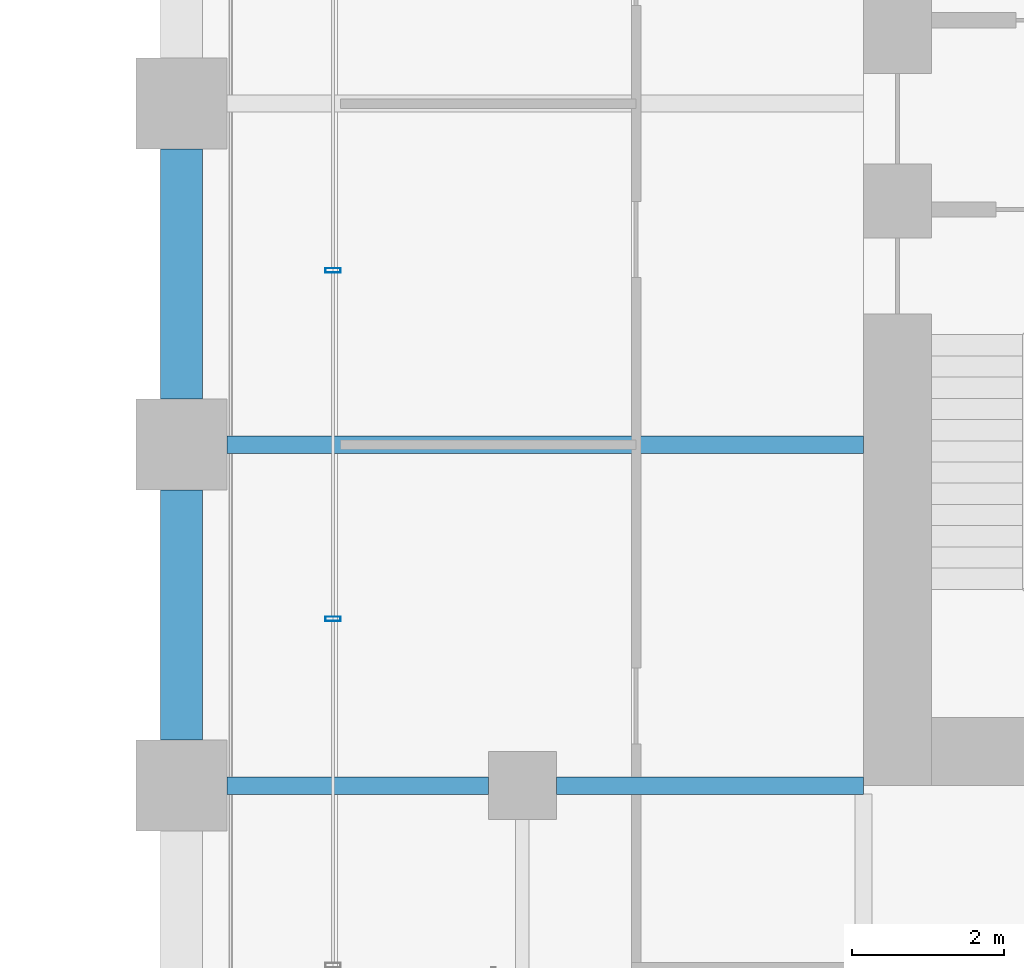
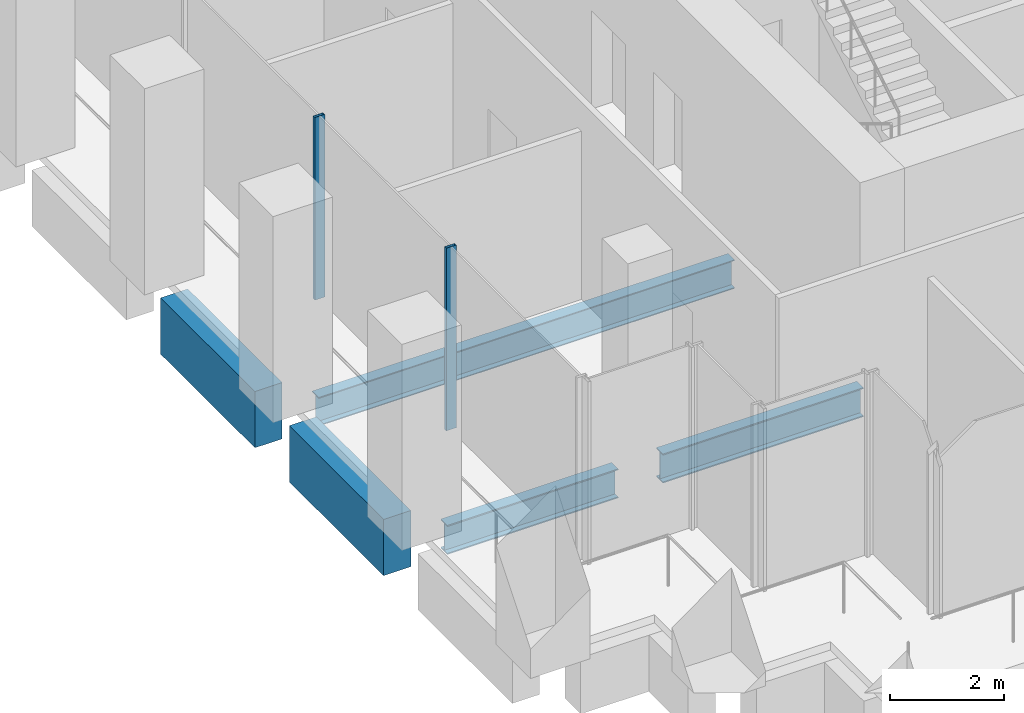
# One storey, part 20 of 36: 5 beams, 2 members, 1 element without a shape of its own.
"""IFC4 building model written with IfcOpenShell, lengths in metres."""

import ifcopenshell
import ifcopenshell.guid

model = None  # the IFC model being written
_history = None  # IfcOwnerHistory: only IFC2X3 demands one
_inside = {}  # id of a spatial element -> (the spatial element, [elements in it])
_under = {}  # id of a project, library or spatial element -> (it, [spatial elements below it])
_declared = {}  # id of a project -> (the project, [libraries it declares])
_typed = {}  # id of a type object -> (the type object, [elements of that type])
_made_of = {}  # id of a material, layer set ... -> (it, [elements and type objects made of it])


def new_model(schema):
    """Start an empty IFC model of exactly this schema.

    Asked for "IFC4X3", IfcOpenShell would pick the latest addendum, in which some entities
    have other attributes; the version numbers below select the first issue.
    IFC2X3 requires an IfcOwnerHistory on every rooted entity: one is made here for all.
    """
    global model, _history
    if schema == "IFC4X3":
        model = ifcopenshell.file(schema_version=(4, 3, 0, 0))
    else:
        model = ifcopenshell.file(schema=schema)
    _inside.clear()
    _under.clear()
    _declared.clear()
    _typed.clear()
    _made_of.clear()
    _history = None
    if model.schema == "IFC2X3":
        org = make("IfcOrganization", Name="unknown")
        user = make(
            "IfcPersonAndOrganization",
            ThePerson=make("IfcPerson", FamilyName="unknown"),
            TheOrganization=org,
        )
        app = make(
            "IfcApplication",
            ApplicationDeveloper=org,
            Version="unknown",
            ApplicationFullName="unknown",
            ApplicationIdentifier="unknown",
        )
        _history = make(
            "IfcOwnerHistory",
            OwningUser=user,
            OwningApplication=app,
            ChangeAction="ADDED",
            CreationDate=0,
        )
    return model


def make(cls, **values):
    """One entity of the class cls with the attributes given. An attribute that is None is left unset."""
    return model.create_entity(
        cls, **{name: value for name, value in values.items() if value is not None}
    )


def rooted(cls, **values):
    """An entity with a GlobalId (a new one), such as an element, a storey or a relation."""
    return make(cls, GlobalId=ifcopenshell.guid.new(), OwnerHistory=_history, **values)


def si_unit(unit_type, name, prefix=None):
    """IfcSIUnit, for example si_unit("LENGTHUNIT", "METRE", prefix="MILLI")."""
    return make("IfcSIUnit", UnitType=unit_type, Prefix=prefix, Name=name)


def assignment(units):
    """IfcUnitAssignment: the units of a project."""
    return None if units is None else make("IfcUnitAssignment", Units=units)


def point(xyz):
    """IfcCartesianPoint."""
    return None if xyz is None else make("IfcCartesianPoint", Coordinates=xyz)


def direction(xyz):
    """IfcDirection."""
    return None if xyz is None else make("IfcDirection", DirectionRatios=xyz)


def frame(location, z_axis=None, x_axis=None):
    """IfcAxis2Placement3D, a coordinate frame: its origin and axes. An axis left out is left unset."""
    return make(
        "IfcAxis2Placement3D",
        Location=point(location),
        Axis=direction(z_axis),
        RefDirection=direction(x_axis),
    )


def frame_2d(location, x_axis=None):
    """IfcAxis2Placement2D, a coordinate frame in the plane: its origin and x axis."""
    return make(
        "IfcAxis2Placement2D", Location=point(location), RefDirection=direction(x_axis)
    )


def origin():
    """The frame at (0, 0, 0) with its axes left unset."""
    return frame((0.0, 0.0, 0.0))


def origin_2d():
    """The frame at (0, 0) in the plane with its x axis left unset."""
    return frame_2d((0.0, 0.0))


def place(relative_to, where):
    """IfcLocalPlacement: puts the frame where relative to a parent placement (None: the world)."""
    return make(
        "IfcLocalPlacement", PlacementRelTo=relative_to, RelativePlacement=where
    )


def context(
    kind, dimensions, precision=None, world=None, true_north=None, identifier=None
):
    """IfcGeometricRepresentationContext, for example the 3D "Model" context."""
    return make(
        "IfcGeometricRepresentationContext",
        ContextIdentifier=identifier,
        ContextType=kind,
        CoordinateSpaceDimension=dimensions,
        Precision=precision,
        WorldCoordinateSystem=world,
        TrueNorth=true_north,
    )


def subcontext(parent, identifier, kind, view, scale=None):
    """IfcGeometricRepresentationSubContext, for example "Body" below "Model"."""
    return make(
        "IfcGeometricRepresentationSubContext",
        ContextIdentifier=identifier,
        ContextType=kind,
        ParentContext=parent,
        TargetScale=scale,
        TargetView=view,
    )


def project(units=None, contexts=None):
    """IfcProject with its units and contexts."""
    return rooted(
        "IfcProject",
        Name="project",
        RepresentationContexts=contexts,
        UnitsInContext=assignment(units),
    )


def spatial(cls, under=None, at=None, **own):
    """A site, building, storey or space (cls), placed at a placement, below another one or the project."""
    s = rooted(cls, ObjectPlacement=at, **own)
    if under is not None:
        _under.setdefault(under.id(), (under, []))[1].append(s)
    return s


def profile(cls, at=None, kind="AREA", **sizes):
    """A parametric profile (cls). Its sizes go by their IFC names, for example OverallWidth=200.0."""
    return make(cls, ProfileType=kind, Position=at, **sizes)


def rectangle(**sizes):
    """IfcRectangleProfileDef."""
    return profile("IfcRectangleProfileDef", **sizes)


def hollow_rectangle(**sizes):
    """IfcRectangleHollowProfileDef."""
    return profile("IfcRectangleHollowProfileDef", **sizes)


def i_section(**sizes):
    """IfcIShapeProfileDef."""
    return profile("IfcIShapeProfileDef", **sizes)


def extrude(swept, where, along, depth):
    """IfcExtrudedAreaSolid: the profile swept, set in the frame where, extruded along a direction by depth."""
    return make(
        "IfcExtrudedAreaSolid",
        SweptArea=swept,
        Position=where,
        ExtrudedDirection=direction(along),
        Depth=depth,
    )


def shape(context_of_items, identifier, shape_type, items):
    """IfcShapeRepresentation: the items that make up one representation, for example the "Body"."""
    return make(
        "IfcShapeRepresentation",
        ContextOfItems=context_of_items,
        RepresentationIdentifier=identifier,
        RepresentationType=shape_type,
        Items=items,
    )


def material(Name=None, Category=None):
    """IfcMaterial."""
    return make("IfcMaterial", Name=Name, Category=Category)


def material_profile(
    of_material, cross_section, Name=None, Category=None, Priority=None
):
    """IfcMaterialProfile: a cross section and its material."""
    return make(
        "IfcMaterialProfile",
        Name=Name,
        Material=of_material,
        Profile=cross_section,
        Priority=Priority,
        Category=Category,
    )


def profile_set(profiles, Name=None, composite=None):
    """IfcMaterialProfileSet."""
    return make(
        "IfcMaterialProfileSet",
        Name=Name,
        MaterialProfiles=profiles,
        CompositeProfile=composite,
    )


def made_of(thing, what):
    """Note that an element or type object is made of a material, layer set ...; save() writes the relation."""
    if what is not None:
        _made_of.setdefault(what.id(), (what, []))[1].append(thing)
    return thing


def type_object(cls, material=None, **own):
    """A type object (cls), such as IfcWallType, which elements share."""
    return made_of(rooted(cls, **own), material)


def element(
    cls,
    number,
    at=None,
    inside=None,
    cuts=None,
    type_object=None,
    material=None,
    context=None,
    identifier="Body",
    shape_type=None,
    held_by="IfcProductDefinitionShape",
    body=None,
    shapes=None,
    **own,
):
    """One element of the class cls, such as IfcWall. Its Tag is "e" and its number.

    at: its placement. inside: the storey or other place that contains it. cuts: it is an
    opening in that element (IfcRelVoidsElement). A single representation is given by context,
    identifier, shape_type and body (its items); several are given by shapes. held_by: the class
    of the entity that holds the representations. save() writes the other relations.
    """
    e = rooted(cls, Tag="e%d" % number, ObjectPlacement=at, **own)
    if body is not None:
        shapes = [shape(context, identifier, shape_type, body)]
    if shapes is not None:
        e.Representation = make(held_by, Representations=shapes)
    if inside is not None:
        _inside.setdefault(inside.id(), (inside, []))[1].append(e)
    if cuts is not None:
        rooted(
            "IfcRelVoidsElement", RelatingBuildingElement=cuts, RelatedOpeningElement=e
        )
    if type_object is not None:
        _typed.setdefault(type_object.id(), (type_object, []))[1].append(e)
    return made_of(e, material)


def aggregate(whole, parts):
    """IfcRelAggregates: a whole, such as a stair, and the parts it consists of."""
    return rooted("IfcRelAggregates", RelatingObject=whole, RelatedObjects=parts)


def save(model, path):
    """Write the relations noted so far, then the file.

    IfcRelAggregates (storeys below a building ...), IfcRelContainedInSpatialStructure (elements
    in a storey), IfcRelDefinesByType, IfcRelAssociatesMaterial and IfcRelDeclares: one each for
    every whole, place, type object, material and project.
    """
    for whole, parts in _under.values():
        aggregate(whole, parts)
    for where, things in _inside.values():
        rooted(
            "IfcRelContainedInSpatialStructure",
            RelatedElements=things,
            RelatingStructure=where,
        )
    for kind, things in _typed.values():
        rooted("IfcRelDefinesByType", RelatedObjects=things, RelatingType=kind)
    for what, things in _made_of.values():
        rooted("IfcRelAssociatesMaterial", RelatedObjects=things, RelatingMaterial=what)
    for by, libraries in _declared.values():
        rooted("IfcRelDeclares", RelatingContext=by, RelatedDefinitions=libraries)
    model.write(path)


model = new_model("IFC4")

# Units and contexts
model_context = context("Model", 3, precision=1e-05, world=origin(), true_north=direction((0.0, 1.0)))
body_context = subcontext(model_context, "Body", "Model", "MODEL_VIEW")
ifc_project = project(units=[si_unit("LENGTHUNIT", "METRE"), si_unit("AREAUNIT", "SQUARE_METRE"), si_unit("VOLUMEUNIT", "CUBIC_METRE"), si_unit("PLANEANGLEUNIT", "RADIAN"), si_unit("MASSUNIT", "GRAM", prefix="KILO")], contexts=[model_context])

# Site, building, storey
site_placement = place(None, origin())
site = spatial("IfcSite", under=ifc_project, at=site_placement, CompositionType="ELEMENT")
building_placement = place(site_placement, origin())
building = spatial("IfcBuilding", under=site, at=building_placement, Name="Altepetl Exchange Towers", CompositionType="ELEMENT")
storey_placement = place(building_placement, frame((0.0, 0.0, 34.199951171875)))
storey = spatial("IfcBuildingStorey", under=building, at=storey_placement, Name="L07", CompositionType="ELEMENT", Elevation=34.199951171875)

# Beams
ifc_material_1 = material(Name="Steel S355", Category="steel")
ifc_material_profile_1 = material_profile(ifc_material_1, i_section(OverallWidth=0.22900390625, OverallDepth=0.612060546875, WebThickness=0.011962890625, FlangeThickness=0.01953125, at=origin_2d()), Name="W24X84")
ifc_profile_set_1 = profile_set([ifc_material_profile_1], Name="Steel S355")
beam_type_1 = type_object("IfcBeamType", Name="Floor beam W24X84", PredefinedType="BEAM", material=ifc_profile_set_1)
beam_1_placement = place(storey_placement, frame((95.10009765625, 40.5, -0.48095703125), z_axis=(1.0, 0.0, 0.0), x_axis=(0.0, 1.0, 0.0)))
element("IfcBeam", 1, at=beam_1_placement, inside=storey, type_object=beam_type_1, Name="bm:B:L07:012", PredefinedType="BEAM", context=body_context, shape_type="SweptSolid", body=[
    extrude(i_section(OverallWidth=0.22900390625, OverallDepth=0.612060546875, WebThickness=0.011962890625, FlangeThickness=0.01953125, at=origin_2d()), origin(), (0.0, 0.0, 1.0), 8.39990234375),
])
ifc_material_profile_2 = material_profile(ifc_material_1, i_section(OverallWidth=0.22900390625, OverallDepth=0.623046875, WebThickness=0.013916015625, FlangeThickness=0.02490234375, at=origin_2d()), Name="W24X103")
ifc_profile_set_2 = profile_set([ifc_material_profile_2], Name="Steel S355")
beam_type_2 = type_object("IfcBeamType", Name="Girder W24X103", PredefinedType="BEAM", material=ifc_profile_set_2)
beam_2_placement = place(storey_placement, frame((103.5, 36.0, -0.486572265625), z_axis=(-1.0, 0.0, 0.0), x_axis=(0.0, -1.0, 0.0)))
element("IfcBeam", 2, at=beam_2_placement, inside=storey, type_object=beam_type_2, Name="gd:B:L07:006", PredefinedType="BEAM", context=body_context, shape_type="SweptSolid", body=[
    extrude(i_section(OverallWidth=0.22900390625, OverallDepth=0.623046875, WebThickness=0.013916015625, FlangeThickness=0.02490234375, at=origin_2d()), origin(), (0.0, 0.0, 1.0), 4.050048828125),
])
beam_3_placement = place(storey_placement, frame((98.550048828125, 36.0, -0.486572265625), z_axis=(-1.0, 0.0, 0.0), x_axis=(0.0, -1.0, 0.0)))
element("IfcBeam", 3, at=beam_3_placement, inside=storey, type_object=beam_type_2, Name="gd:B:L07:007", PredefinedType="BEAM", context=body_context, shape_type="SweptSolid", body=[
    extrude(i_section(OverallWidth=0.22900390625, OverallDepth=0.623046875, WebThickness=0.013916015625, FlangeThickness=0.02490234375, at=origin_2d()), origin(), (0.0, 0.0, 1.0), 3.449951171875),
])

# Curtain wall, members
ifc_material_2 = material(Name="Aluminium 6063-T6 glazing", Category="aluminium")
curtain_wall_type = type_object("IfcCurtainWallType", Name="Trading floor glazing system", PredefinedType="NOTDEFINED", material=ifc_material_2)
curtain_wall_placement = place(storey_placement, origin())
curtain_wall = element("IfcCurtainWall", 4, at=curtain_wall_placement, inside=storey, type_object=curtain_wall_type, Name="CW2 run", PredefinedType="NOTDEFINED")
ifc_material_3 = material(Name="Aluminium 6063-T6", Category="aluminium")
ifc_material_profile_3 = material_profile(ifc_material_3, hollow_rectangle(XDim=0.06005859375, YDim=0.199951171875, WallThickness=0.0029296875, at=origin_2d()), Name="Mullion 60x200 aluminium")
ifc_profile_set_3 = profile_set([ifc_material_profile_3], Name="Aluminium 6063-T6")
member_type = type_object("IfcMemberType", Name="Mullion 60x200 aluminium", PredefinedType="MULLION", material=ifc_profile_set_3)
member_1_placement = place(storey_placement, frame((96.5, 42.800048828125, 0.0), z_axis=(0.0, 0.0, 1.0), x_axis=(0.0, -1.0, 0.0)))
member_1 = element("IfcMember", 5, at=member_1_placement, type_object=member_type, Name="MU2 mullion", PredefinedType="MULLION", context=body_context, shape_type="SweptSolid", body=[
    extrude(hollow_rectangle(XDim=0.06005859375, YDim=0.199951171875, WallThickness=0.0029296875, at=origin_2d()), origin(), (0.0, 0.0, 1.0), 3.900146484375),
])
member_2_placement = place(storey_placement, frame((96.5, 38.199951171875, 0.0), z_axis=(0.0, 0.0, 1.0), x_axis=(0.0, -1.0, 0.0)))
member_2 = element("IfcMember", 6, at=member_2_placement, type_object=member_type, Name="MU2 mullion", PredefinedType="MULLION", context=body_context, shape_type="SweptSolid", body=[
    extrude(hollow_rectangle(XDim=0.06005859375, YDim=0.199951171875, WallThickness=0.0029296875, at=origin_2d()), origin(), (0.0, 0.0, 1.0), 3.900146484375),
])
aggregate(curtain_wall, [member_1, member_2])

# Beams
ifc_material_4 = material(Name="Concrete C50/60 precast with cantera rosa facing", Category="concrete")
ifc_material_profile_4 = material_profile(ifc_material_4, rectangle(XDim=0.550048828125, YDim=1.199951171875, at=origin_2d()), Name="550 x 1200")
ifc_profile_set_4 = profile_set([ifc_material_profile_4], Name="Concrete C50/60 precast with cantera rosa facing")
beam_type_3 = type_object("IfcBeamType", Name="Spandrel beam 550x1200 cantera rosa", PredefinedType="SPANDREL", material=ifc_profile_set_4)
for number, where, z_axis, x_axis, name in (
    (7, (94.5, 44.39990234375, -0.77490234375), (0.0, -1.0, 0.0), (1.0, 0.0, 0.0), "sp:B:L07:029"),
    (8, (94.5, 39.89990234375, -0.77490234375), (0.0, -1.0, 0.0), (1.0, 0.0, 0.0), "sp:B:L07:030"),
):
    element("IfcBeam", number, at=place(storey_placement, frame(where, z_axis=z_axis, x_axis=x_axis)), inside=storey, type_object=beam_type_3, Name=name, PredefinedType="SPANDREL", context=body_context, shape_type="SweptSolid", body=[
        extrude(rectangle(XDim=0.550048828125, YDim=1.199951171875, at=origin_2d()), origin(), (0.0, 0.0, 1.0), 3.2998046875),
    ])

save(model, "model.ifc")
